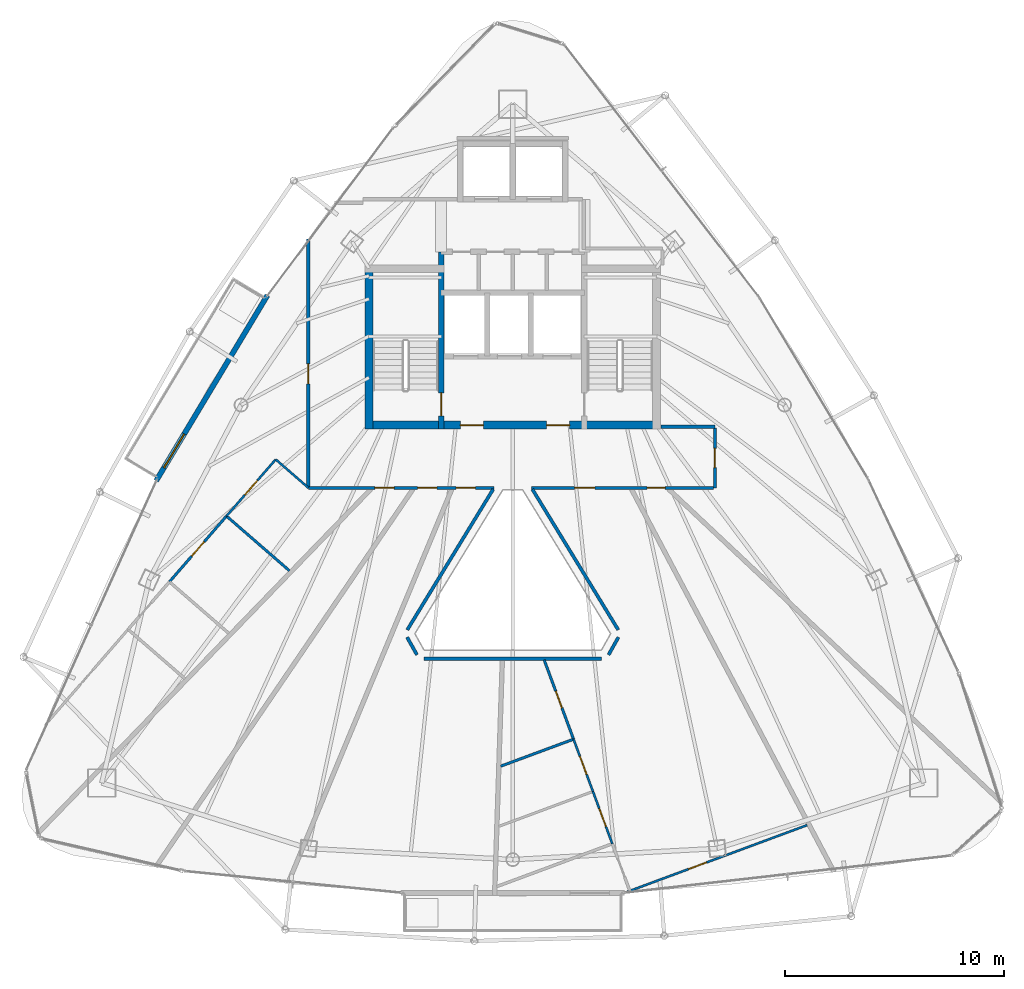
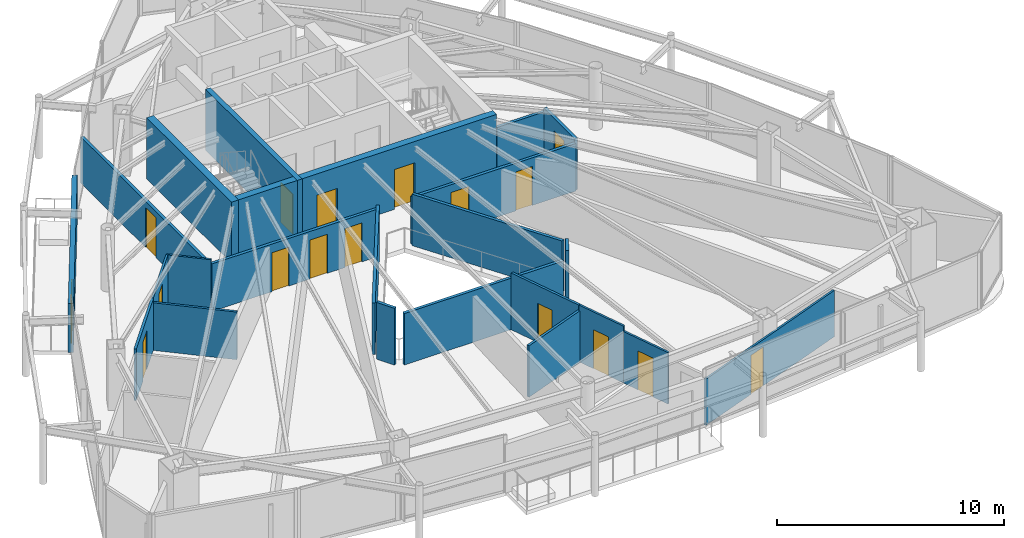
# One storey, part 26 of 29: 23 walls, 17 doors, 17 openings.
"""IFC4 building model written with IfcOpenShell, lengths in metres."""

from ifc_helpers import new_model, si_unit, direction, frame, frame_2d, origin, place, context, subcontext, project, spatial, rectangle, extrude, material, layer, layer_set, type_object, element, fill, save


model = new_model("IFC4")

# Units and contexts
model_context = context("Model", 3, precision=1e-05, world=origin(), true_north=direction((0.0, 1.0)))
body_context = subcontext(model_context, "Body", "Model", "MODEL_VIEW")
ifc_project = project(units=[si_unit("LENGTHUNIT", "METRE"), si_unit("AREAUNIT", "SQUARE_METRE"), si_unit("VOLUMEUNIT", "CUBIC_METRE"), si_unit("PLANEANGLEUNIT", "RADIAN"), si_unit("MASSUNIT", "GRAM", prefix="KILO")], contexts=[model_context])

# Site, building, storey
site_placement = place(None, origin())
site = spatial("IfcSite", under=ifc_project, at=site_placement, CompositionType="ELEMENT")
building_placement = place(site_placement, origin())
building = spatial("IfcBuilding", under=site, at=building_placement, Name="Orvanel Arch Residences", CompositionType="ELEMENT")
storey_placement = place(building_placement, frame((0.0, 0.0, 243.64990234375)))
storey = spatial("IfcBuildingStorey", under=building, at=storey_placement, Name="L69", CompositionType="ELEMENT", Elevation=243.64990234375)

# Wall, opening, door
ifc_material_1 = material(Name="Precast concrete N50 (50 MPa)", Category="concrete")
ifc_layer_1 = layer(ifc_material_1, 0.239990234375)
ifc_layer_set_1 = layer_set([ifc_layer_1], Name="Precast concrete N50 (50 MPa)")
wall_type_1 = type_object("IfcWallType", Name="EW-BAL-240", PredefinedType="SOLIDWALL", material=ifc_layer_set_1)
wall_1_placement = place(storey_placement, frame((21.77490234375, 32.659912109375, 0.0), z_axis=(0.0, 0.0, 1.0), x_axis=(-0.514372387577, -0.857566934354, 0.0)))
wall_1 = element("IfcWall", 1, at=wall_1_placement, inside=storey, type_object=wall_type_1, Name="L69 Balcony Threshold Wall Face 1", PredefinedType="SOLIDWALL", context=body_context, shape_type="SweptSolid", body=[
    extrude(rectangle(XDim=9.895263671875, YDim=0.239990234375, at=frame_2d((4.94775390625, 0.0))), origin(), (0.0, 0.0, 1.0), 2.6240234375),
])
opening_1_placement = place(wall_1_placement, frame((7.39794921875, 0.0, 0.0)))
opening_1 = element("IfcOpeningElement", 2, at=opening_1_placement, cuts=wall_1, Name="Opening DB-180", PredefinedType="OPENING", context=body_context, shape_type="SweptSolid", body=[
    extrude(rectangle(XDim=1.800048828125, YDim=2.199951171875, at=frame_2d((0.89990234375, 1.10009765625))), frame((0.0, 0.1298828125, 0.0), z_axis=(0.0, -1.0, 0.0), x_axis=(1.0, 0.0, 0.0)), (0.0, 0.0, 1.0), 0.260009765625),
])
ifc_material_2 = material(Name="Bronze-anodised aluminium AA6063-T6", Category="aluminium")
door_type_1 = type_object("IfcDoorType", Name="DR-BAL-1800", OperationType="NOTDEFINED", PredefinedType="DOOR", material=ifc_material_2)
door_1_placement = place(opening_1_placement, origin())
door_1 = element("IfcDoor", 3, at=door_1_placement, inside=storey, type_object=door_type_1, Name="DR-L69-BAL-F1 L69 Planted Balcony Access Door Face 1", OperationType="SINGLE_SWING_LEFT", OverallHeight=2.199951171875, OverallWidth=1.800048828125, PredefinedType="DOOR", context=body_context, shape_type="SweptSolid", body=[
    extrude(rectangle(XDim=1.800048828125, YDim=2.199951171875, at=frame_2d((0.89990234375, 1.10009765625))), frame((0.0, 0.02490234375, 0.0), z_axis=(0.0, -1.0, 0.0), x_axis=(1.0, 0.0, 0.0)), (0.0, 0.0, 1.0), 0.050048828125),
])
fill(opening_1, door_1)

ifc_material_3 = material(Name="Concrete N50 (50 MPa)", Category="concrete")
ifc_layer_2 = layer(ifc_material_3, 0.25)
ifc_layer_set_2 = layer_set([ifc_layer_2], Name="Concrete N50 (50 MPa)")
wall_type_2 = type_object("IfcWallType", Name="SW-CORE-250", PredefinedType="SHEAR", material=ifc_layer_set_2)
wall_2_placement = place(storey_placement, frame((29.72509765625, 26.550048828125, 0.0), z_axis=(0.0, 0.0, 1.0), x_axis=(0.0, 1.0, 0.0)))
wall_2 = element("IfcWall", 4, at=wall_2_placement, inside=storey, type_object=wall_type_2, Name="L69 West Inner Core Spine Shear Wall", PredefinedType="SHEAR", context=body_context, shape_type="SweptSolid", body=[
    extrude(rectangle(XDim=8.099853515625, YDim=0.25, at=frame_2d((4.0498046875, 0.0))), origin(), (0.0, 0.0, 1.0), 3.300048828125),
])
opening_2_placement = place(wall_2_placement, frame((0.60009765625, 0.0, 0.0)))
opening_2 = element("IfcOpeningElement", 5, at=opening_2_placement, cuts=wall_2, Name="Opening DF-120", PredefinedType="OPENING", context=body_context, shape_type="SweptSolid", body=[
    extrude(rectangle(XDim=1.050048828125, YDim=2.14990234375, at=frame_2d((0.52490234375, 1.074951171875))), frame((0.0, 0.135009765625, 0.0), z_axis=(0.0, -1.0, 0.0), x_axis=(1.0, 0.0, 0.0)), (0.0, 0.0, 1.0), 0.27001953125),
])
ifc_material_4 = material(Name="Galvanised steel fire-resisting door assembly", Category="steel")
door_type_2 = type_object("IfcDoorType", Name="DR-FD120-1050", OperationType="NOTDEFINED", PredefinedType="DOOR", material=ifc_material_4)
door_2_placement = place(opening_2_placement, origin())
door_2 = element("IfcDoor", 6, at=door_2_placement, inside=storey, type_object=door_type_2, Name="DR-L69-ST1 L69 Stair 1 Fire Door", OperationType="SINGLE_SWING_LEFT", OverallHeight=2.14990234375, OverallWidth=1.050048828125, PredefinedType="DOOR", context=body_context, shape_type="SweptSolid", body=[
    extrude(rectangle(XDim=1.050048828125, YDim=2.14990234375, at=frame_2d((0.52490234375, 1.074951171875))), frame((0.0, 0.02490234375, 0.0), z_axis=(0.0, -1.0, 0.0), x_axis=(1.0, 0.0, 0.0)), (0.0, 0.0, 1.0), 0.050048828125),
])
fill(opening_2, door_2)

# Wall, openings, doors
ifc_layer_3 = layer(ifc_material_3, 0.35009765625)
ifc_layer_set_3 = layer_set([ifc_layer_3], Name="Concrete N50 (50 MPa)")
wall_type_3 = type_object("IfcWallType", Name="SW-CORE-350", PredefinedType="SHEAR", material=ifc_layer_set_3)
wall_3_placement = place(storey_placement, frame((26.25, 26.72509765625, 0.0), z_axis=(0.0, 0.0, 1.0), x_axis=(1.0, 0.0, 0.0)))
wall_3 = element("IfcWall", 7, at=wall_3_placement, inside=storey, type_object=wall_type_3, Name="L69 South Core Shear Wall", PredefinedType="SHEAR", context=body_context, shape_type="SweptSolid", body=[
    extrude(rectangle(XDim=13.5, YDim=0.35009765625, at=frame_2d((6.75, 0.0))), origin(), (0.0, 0.0, 1.0), 3.300048828125),
])
opening_3_placement = place(wall_3_placement, frame((4.35009765625, 0.0, 0.0)))
opening_3 = element("IfcOpeningElement", 8, at=opening_3_placement, cuts=wall_3, Name="Opening DF-060", PredefinedType="OPENING", context=body_context, shape_type="SweptSolid", body=[
    extrude(rectangle(XDim=1.050048828125, YDim=2.14990234375, at=frame_2d((0.52490234375, 1.074951171875))), frame((0.0, 0.18505859375, 0.0), z_axis=(0.0, -1.0, 0.0), x_axis=(1.0, 0.0, 0.0)), (0.0, 0.0, 1.0), 0.3701171875),
])
opening_4_placement = place(wall_3_placement, frame((8.300048828125, 0.0, 0.0)))
opening_4 = element("IfcOpeningElement", 9, at=opening_4_placement, cuts=wall_3, Name="Opening DF-060", PredefinedType="OPENING", context=body_context, shape_type="SweptSolid", body=[
    extrude(rectangle(XDim=1.050048828125, YDim=2.14990234375, at=frame_2d((0.52490234375, 1.074951171875))), frame((0.0, 0.18505859375, 0.0), z_axis=(0.0, -1.0, 0.0), x_axis=(1.0, 0.0, 0.0)), (0.0, 0.0, 1.0), 0.3701171875),
])
door_type_3 = type_object("IfcDoorType", Name="DR-FD60-1050", OperationType="NOTDEFINED", PredefinedType="DOOR", material=ifc_material_4)
door_3_placement = place(opening_3_placement, origin())
door_3 = element("IfcDoor", 10, at=door_3_placement, inside=storey, type_object=door_type_3, Name="DR-L69-FFL-W L69 West Smoke Lobby Door", OperationType="SINGLE_SWING_LEFT", OverallHeight=2.14990234375, OverallWidth=1.050048828125, PredefinedType="DOOR", context=body_context, shape_type="SweptSolid", body=[
    extrude(rectangle(XDim=1.050048828125, YDim=2.14990234375, at=frame_2d((0.52490234375, 1.074951171875))), frame((0.0, 0.02490234375, 0.0), z_axis=(0.0, -1.0, 0.0), x_axis=(1.0, 0.0, 0.0)), (0.0, 0.0, 1.0), 0.050048828125),
])
fill(opening_3, door_3)
door_4_placement = place(opening_4_placement, origin())
door_4 = element("IfcDoor", 11, at=door_4_placement, inside=storey, type_object=door_type_3, Name="DR-L69-FFL-E L69 East Smoke Lobby Door", OperationType="SINGLE_SWING_RIGHT", OverallHeight=2.14990234375, OverallWidth=1.050048828125, PredefinedType="DOOR", context=body_context, shape_type="SweptSolid", body=[
    extrude(rectangle(XDim=1.050048828125, YDim=2.14990234375, at=frame_2d((0.52490234375, 1.074951171875))), frame((0.0, 0.02490234375, 0.0), z_axis=(0.0, -1.0, 0.0), x_axis=(1.0, 0.0, 0.0)), (0.0, 0.0, 1.0), 0.050048828125),
])
fill(opening_4, door_4)

# Wall
wall_4_placement = place(storey_placement, frame((26.425048828125, 26.550048828125, 0.0), z_axis=(0.0, 0.0, 1.0), x_axis=(0.0, 1.0, 0.0)))
element("IfcWall", 12, at=wall_4_placement, inside=storey, type_object=wall_type_3, Name="L69 West Stair Shear Wall", PredefinedType="SHEAR", context=body_context, shape_type="SweptSolid", body=[
    extrude(rectangle(XDim=7.5, YDim=0.35009765625, at=frame_2d((3.75, 0.0))), origin(), (0.0, 0.0, 1.0), 3.300048828125),
])

# Wall, openings, doors
ifc_material_5 = material(Name="Fire-rated plasterboard lined steel stud partition", Category="steel")
ifc_layer_4 = layer(ifc_material_5, 0.14990234375)
ifc_layer_set_4 = layer_set([ifc_layer_4], Name="Fire-rated plasterboard lined steel stud partition")
wall_type_4 = type_object("IfcWallType", Name="W-COR-150", PredefinedType="PARTITIONING", material=ifc_layer_set_4)
wall_5_placement = place(storey_placement, frame((32.14111328125, 23.85009765625, 0.0), z_axis=(0.0, 0.0, 1.0), x_axis=(-1.0, 0.0, 0.0)))
wall_5 = element("IfcWall", 13, at=wall_5_placement, inside=storey, type_object=wall_type_4, Name="L69 Corridor Fire-Rated Partition", PredefinedType="PARTITIONING", context=body_context, shape_type="SweptSolid", body=[
    extrude(rectangle(XDim=8.4912109375, YDim=0.14990234375, at=frame_2d((4.24560546875, 0.0))), origin(), (0.0, 0.0, 1.0), 2.565185546875),
])
opening_5_placement = place(wall_5_placement, frame((0.847900390625, 0.0, 0.0)))
opening_5 = element("IfcOpeningElement", 14, at=opening_5_placement, cuts=wall_5, Name="Opening DI-088", PredefinedType="OPENING", context=body_context, shape_type="SweptSolid", body=[
    extrude(rectangle(XDim=0.8798828125, YDim=2.10009765625, at=frame_2d((0.43994140625, 1.050048828125))), frame((0.0, 0.0849609375, 0.0), z_axis=(0.0, -1.0, 0.0), x_axis=(1.0, 0.0, 0.0)), (0.0, 0.0, 1.0), 0.169921875),
])
opening_6_placement = place(wall_5_placement, frame((2.615966796875, 0.0, 0.0)))
opening_6 = element("IfcOpeningElement", 15, at=opening_6_placement, cuts=wall_5, Name="Opening DI-088", PredefinedType="OPENING", context=body_context, shape_type="SweptSolid", body=[
    extrude(rectangle(XDim=0.8798828125, YDim=2.10009765625, at=frame_2d((0.43994140625, 1.050048828125))), frame((0.0, 0.0849609375, 0.0), z_axis=(0.0, -1.0, 0.0), x_axis=(1.0, 0.0, 0.0)), (0.0, 0.0, 1.0), 0.169921875),
])
opening_7_placement = place(wall_5_placement, frame((4.56689453125, 0.0, 0.0)))
opening_7 = element("IfcOpeningElement", 16, at=opening_7_placement, cuts=wall_5, Name="Opening DI-088", PredefinedType="OPENING", context=body_context, shape_type="SweptSolid", body=[
    extrude(rectangle(XDim=0.8798828125, YDim=2.10009765625, at=frame_2d((0.43994140625, 1.050048828125))), frame((0.0, 0.0849609375, 0.0), z_axis=(0.0, -1.0, 0.0), x_axis=(1.0, 0.0, 0.0)), (0.0, 0.0, 1.0), 0.169921875),
])
ifc_material_6 = material(Name="Solid-core European oak veneer fire door leaf", Category="wood")
door_type_4 = type_object("IfcDoorType", Name="DR-INT-880", OperationType="NOTDEFINED", PredefinedType="DOOR", material=ifc_material_6)
door_5_placement = place(opening_5_placement, origin())
door_5 = element("IfcDoor", 17, at=door_5_placement, inside=storey, type_object=door_type_4, Name="DR-L69-SHRD-FB5 L69 Co-Working Study Office E Door", OperationType="SINGLE_SWING_LEFT", OverallHeight=2.10009765625, OverallWidth=0.8798828125, PredefinedType="DOOR", context=body_context, shape_type="SweptSolid", body=[
    extrude(rectangle(XDim=0.8798828125, YDim=2.10009765625, at=frame_2d((0.43994140625, 1.050048828125))), frame((0.0, 0.02490234375, 0.0), z_axis=(0.0, -1.0, 0.0), x_axis=(1.0, 0.0, 0.0)), (0.0, 0.0, 1.0), 0.050048828125),
])
fill(opening_5, door_5)
door_6_placement = place(opening_6_placement, origin())
door_6 = element("IfcDoor", 18, at=door_6_placement, inside=storey, type_object=door_type_4, Name="DR-L69-SHRD-FB6 L69 Co-Working Study Office F Door", OperationType="SINGLE_SWING_LEFT", OverallHeight=2.10009765625, OverallWidth=0.8798828125, PredefinedType="DOOR", context=body_context, shape_type="SweptSolid", body=[
    extrude(rectangle(XDim=0.8798828125, YDim=2.10009765625, at=frame_2d((0.43994140625, 1.050048828125))), frame((0.0, 0.02490234375, 0.0), z_axis=(0.0, -1.0, 0.0), x_axis=(1.0, 0.0, 0.0)), (0.0, 0.0, 1.0), 0.050048828125),
])
fill(opening_6, door_6)
door_7_placement = place(opening_7_placement, origin())
door_7 = element("IfcDoor", 19, at=door_7_placement, inside=storey, type_object=door_type_4, Name="DR-L69-SHRD-FB7 L69 Co-Working Study Office G Door", OperationType="SINGLE_SWING_LEFT", OverallHeight=2.10009765625, OverallWidth=0.8798828125, PredefinedType="DOOR", context=body_context, shape_type="SweptSolid", body=[
    extrude(rectangle(XDim=0.8798828125, YDim=2.10009765625, at=frame_2d((0.43994140625, 1.050048828125))), frame((0.0, 0.02490234375, 0.0), z_axis=(0.0, -1.0, 0.0), x_axis=(1.0, 0.0, 0.0)), (0.0, 0.0, 1.0), 0.050048828125),
])
fill(opening_7, door_7)

# Wall, opening, door
wall_6_placement = place(storey_placement, frame((23.64990234375, 23.909912109375, 0.0), z_axis=(0.0, 0.0, 1.0), x_axis=(0.0, 1.0, 0.0)))
wall_6 = element("IfcWall", 20, at=wall_6_placement, inside=storey, type_object=wall_type_4, Name="L69 Corridor Fire-Rated Partition", PredefinedType="PARTITIONING", context=body_context, shape_type="SweptSolid", body=[
    extrude(rectangle(XDim=11.337158203125, YDim=0.14990234375, at=frame_2d((5.66845703125, 0.0))), origin(), (0.0, 0.0, 1.0), 2.4921875),
])
opening_8_placement = place(wall_6_placement, frame((4.694091796875, 0.0, 0.0)))
opening_8 = element("IfcOpeningElement", 21, at=opening_8_placement, cuts=wall_6, Name="Opening DA-092", PredefinedType="OPENING", context=body_context, shape_type="SweptSolid", body=[
    extrude(rectangle(XDim=0.919921875, YDim=2.14990234375, at=frame_2d((0.4599609375, 1.074951171875))), frame((0.0, 0.0849609375, 0.0), z_axis=(0.0, -1.0, 0.0), x_axis=(1.0, 0.0, 0.0)), (0.0, 0.0, 1.0), 0.169921875),
])
door_type_5 = type_object("IfcDoorType", Name="DR-APT-920", OperationType="NOTDEFINED", PredefinedType="DOOR", material=ifc_material_6)
door_8_placement = place(opening_8_placement, origin())
door_8 = element("IfcDoor", 22, at=door_8_placement, inside=storey, type_object=door_type_5, Name="DR-L69-C-ENT L69 Studio C Entrance Door", OperationType="SINGLE_SWING_RIGHT", OverallHeight=2.14990234375, OverallWidth=0.919921875, PredefinedType="DOOR", context=body_context, shape_type="SweptSolid", body=[
    extrude(rectangle(XDim=0.919921875, YDim=2.14990234375, at=frame_2d((0.4599609375, 1.074951171875))), frame((0.0, 0.02490234375, 0.0), z_axis=(0.0, -1.0, 0.0), x_axis=(1.0, 0.0, 0.0)), (0.0, 0.0, 1.0), 0.050048828125),
])
fill(opening_8, door_8)

# Wall
wall_7_placement = place(storey_placement, frame((39.7900390625, 26.64990234375, 0.0), z_axis=(0.0, 0.0, 1.0), x_axis=(1.0, 0.0, 0.0)))
element("IfcWall", 23, at=wall_7_placement, inside=storey, type_object=wall_type_4, Name="L69 Corridor Fire-Rated Partition", PredefinedType="PARTITIONING", context=body_context, shape_type="SweptSolid", body=[
    extrude(rectangle(XDim=2.4599609375, YDim=0.14990234375, at=frame_2d((1.22998046875, 0.0))), origin(), (0.0, 0.0, 1.0), 2.565185546875),
])

# Wall, opening, door
wall_8_placement = place(storey_placement, frame((42.25, 26.590087890625, 0.0), z_axis=(0.0, 0.0, 1.0), x_axis=(0.0, -1.0, 0.0)))
wall_8 = element("IfcWall", 24, at=wall_8_placement, inside=storey, type_object=wall_type_4, Name="L69 Corridor Fire-Rated Partition", PredefinedType="PARTITIONING", context=body_context, shape_type="SweptSolid", body=[
    extrude(rectangle(XDim=2.739990234375, YDim=0.14990234375, at=frame_2d((1.3701171875, 0.0))), origin(), (0.0, 0.0, 1.0), 2.773193359375),
])
opening_9_placement = place(wall_8_placement, frame((0.929931640625, 0.0, 0.0)))
opening_9 = element("IfcOpeningElement", 25, at=opening_9_placement, cuts=wall_8, Name="Opening DI-088", PredefinedType="OPENING", context=body_context, shape_type="SweptSolid", body=[
    extrude(rectangle(XDim=0.8798828125, YDim=2.10009765625, at=frame_2d((0.43994140625, 1.050048828125))), frame((0.0, 0.0849609375, 0.0), z_axis=(0.0, -1.0, 0.0), x_axis=(1.0, 0.0, 0.0)), (0.0, 0.0, 1.0), 0.169921875),
])
door_9_placement = place(opening_9_placement, origin())
door_9 = element("IfcDoor", 26, at=door_9_placement, inside=storey, type_object=door_type_4, Name="DR-L69-SHRD-FB1 L69 Co-Working Study Office A Door", OperationType="SINGLE_SWING_LEFT", OverallHeight=2.10009765625, OverallWidth=0.8798828125, PredefinedType="DOOR", context=body_context, shape_type="SweptSolid", body=[
    extrude(rectangle(XDim=0.8798828125, YDim=2.10009765625, at=frame_2d((0.43994140625, 1.050048828125))), frame((0.0, 0.02490234375, 0.0), z_axis=(0.0, -1.0, 0.0), x_axis=(1.0, 0.0, 0.0)), (0.0, 0.0, 1.0), 0.050048828125),
])
fill(opening_9, door_9)

# Wall, openings, doors
wall_9_placement = place(storey_placement, frame((42.18994140625, 23.85009765625, 0.0), z_axis=(0.0, 0.0, 1.0), x_axis=(-1.0, 0.0, 0.0)))
wall_9 = element("IfcWall", 27, at=wall_9_placement, inside=storey, type_object=wall_type_4, Name="L69 Corridor Fire-Rated Partition", PredefinedType="PARTITIONING", context=body_context, shape_type="SweptSolid", body=[
    extrude(rectangle(XDim=8.3310546875, YDim=0.14990234375, at=frame_2d((4.16552734375, 0.0))), origin(), (0.0, 0.0, 1.0), 2.565185546875),
])
opening_10_placement = place(wall_9_placement, frame((5.43505859375, 0.0, 0.0)))
opening_10 = element("IfcOpeningElement", 28, at=opening_10_placement, cuts=wall_9, Name="Opening DA-092", PredefinedType="OPENING", context=body_context, shape_type="SweptSolid", body=[
    extrude(rectangle(XDim=0.919921875, YDim=2.14990234375, at=frame_2d((0.4599609375, 1.074951171875))), frame((0.0, 0.0849609375, 0.0), z_axis=(0.0, -1.0, 0.0), x_axis=(1.0, 0.0, 0.0)), (0.0, 0.0, 1.0), 0.169921875),
])
opening_11_placement = place(wall_9_placement, frame((2.218017578125, 0.0, 0.0)))
opening_11 = element("IfcOpeningElement", 29, at=opening_11_placement, cuts=wall_9, Name="Opening DW-082", PredefinedType="OPENING", context=body_context, shape_type="SweptSolid", body=[
    extrude(rectangle(XDim=0.820068359375, YDim=2.10009765625, at=frame_2d((0.41015625, 1.050048828125))), frame((0.0, 0.0849609375, 0.0), z_axis=(0.0, -1.0, 0.0), x_axis=(1.0, 0.0, 0.0)), (0.0, 0.0, 1.0), 0.169921875),
])
door_10_placement = place(opening_10_placement, origin())
door_10 = element("IfcDoor", 30, at=door_10_placement, inside=storey, type_object=door_type_5, Name="DR-L69-B-ENT L69 Studio B Entrance Door", OperationType="SINGLE_SWING_LEFT", OverallHeight=2.14990234375, OverallWidth=0.919921875, PredefinedType="DOOR", context=body_context, shape_type="SweptSolid", body=[
    extrude(rectangle(XDim=0.919921875, YDim=2.14990234375, at=frame_2d((0.4599609375, 1.074951171875))), frame((0.0, 0.02490234375, 0.0), z_axis=(0.0, -1.0, 0.0), x_axis=(1.0, 0.0, 0.0)), (0.0, 0.0, 1.0), 0.050048828125),
])
fill(opening_10, door_10)
door_type_6 = type_object("IfcDoorType", Name="DR-WET-820", OperationType="NOTDEFINED", PredefinedType="DOOR", material=ifc_material_6)
door_11_placement = place(opening_11_placement, origin())
door_11 = element("IfcDoor", 31, at=door_11_placement, inside=storey, type_object=door_type_6, Name="DR-L69-SHRD-FB4 L69 Co-Working Study Office D Door", OperationType="SINGLE_SWING_LEFT", OverallHeight=2.10009765625, OverallWidth=0.820068359375, PredefinedType="DOOR", context=body_context, shape_type="SweptSolid", body=[
    extrude(rectangle(XDim=0.820068359375, YDim=2.10009765625, at=frame_2d((0.41015625, 1.050048828125))), frame((0.0, 0.02490234375, 0.0), z_axis=(0.0, -1.0, 0.0), x_axis=(1.0, 0.0, 0.0)), (0.0, 0.0, 1.0), 0.050048828125),
])
fill(opening_11, door_11)

# Walls
wall_10_placement = place(storey_placement, frame((33.89501953125, 23.7900390625, 0.0), z_axis=(0.0, 0.0, 1.0), x_axis=(0.521329541742, -0.85335544113, 0.0)))
element("IfcWall", 32, at=wall_10_placement, inside=storey, type_object=wall_type_4, Name="L69 Atrium Overlook Glazed Partition", PredefinedType="PARTITIONING", context=body_context, shape_type="SweptSolid", body=[
    extrude(rectangle(XDim=7.5419921875, YDim=0.14990234375, at=frame_2d((3.77099609375, 0.0))), origin(), (0.0, 0.0, 1.0), 2.773193359375),
])
wall_11_placement = place(storey_placement, frame((37.833984375, 17.01806640625, 0.0), z_axis=(0.0, 0.0, 1.0), x_axis=(-0.489334167997, -0.872096366252, 0.0)))
element("IfcWall", 33, at=wall_11_placement, inside=storey, type_object=wall_type_4, Name="L69 Atrium Overlook Glazed Partition", PredefinedType="PARTITIONING", context=body_context, shape_type="SweptSolid", body=[
    extrude(rectangle(XDim=0.925537109375, YDim=0.14990234375, at=frame_2d((0.462890625, 0.0))), origin(), (0.0, 0.0, 1.0), 3.06005859375),
])
wall_12_placement = place(storey_placement, frame((37.052001953125, 16.0390625, 0.0), z_axis=(0.0, 0.0, 1.0), x_axis=(-1.0, 0.0, 0.0)))
element("IfcWall", 34, at=wall_12_placement, inside=storey, type_object=wall_type_4, Name="L69 Atrium Overlook Glazed Partition", PredefinedType="PARTITIONING", context=body_context, shape_type="SweptSolid", body=[
    extrude(rectangle(XDim=8.10400390625, YDim=0.14990234375, at=frame_2d((4.052001953125, 0.0))), origin(), (0.0, 0.0, 1.0), 2.773193359375),
])
wall_13_placement = place(storey_placement, frame((28.618896484375, 16.2109375, 0.0), z_axis=(0.0, 0.0, 1.0), x_axis=(-0.489334167997, 0.872096366252, 0.0)))
element("IfcWall", 35, at=wall_13_placement, inside=storey, type_object=wall_type_4, Name="L69 Atrium Overlook Glazed Partition", PredefinedType="PARTITIONING", context=body_context, shape_type="SweptSolid", body=[
    extrude(rectangle(XDim=0.925537109375, YDim=0.14990234375, at=frame_2d((0.462890625, 0.0))), origin(), (0.0, 0.0, 1.0), 3.06005859375),
])
wall_14_placement = place(storey_placement, frame((28.173095703125, 17.35400390625, 0.0), z_axis=(0.0, 0.0, 1.0), x_axis=(0.521329541742, 0.85335544113, 0.0)))
element("IfcWall", 36, at=wall_14_placement, inside=storey, type_object=wall_type_4, Name="L69 Atrium Overlook Glazed Partition", PredefinedType="PARTITIONING", context=body_context, shape_type="SweptSolid", body=[
    extrude(rectangle(XDim=7.5419921875, YDim=0.14990234375, at=frame_2d((3.77099609375, 0.0))), origin(), (0.0, 0.0, 1.0), 2.773193359375),
])

# Wall, opening, door
ifc_material_7 = material(Name="Acoustic plasterboard lined twin-stud partition", Category="gypsum")
ifc_layer_5 = layer(ifc_material_7, 0.10009765625)
ifc_layer_set_5 = layer_set([ifc_layer_5], Name="Acoustic plasterboard lined twin-stud partition")
wall_type_5 = type_object("IfcWallType", Name="W-INT-100", PredefinedType="PARTITIONING", material=ifc_layer_set_5)
wall_15_placement = place(storey_placement, frame((37.553955078125, 7.571044921875, 0.0), z_axis=(0.0, 0.0, 1.0), x_axis=(-0.347479633163, 0.93768753033, 0.0)))
wall_15 = element("IfcWall", 37, at=wall_15_placement, inside=storey, type_object=wall_type_5, Name="L69 Studio B Internal Partition", PredefinedType="PARTITIONING", context=body_context, shape_type="SweptSolid", body=[
    extrude(rectangle(XDim=2.5498046875, YDim=0.10009765625, at=frame_2d((1.27490234375, 0.0))), origin(), (0.0, 0.0, 1.0), 2.773193359375),
])
opening_12_placement = place(wall_15_placement, frame((0.8349609375, 0.0, 0.0)))
opening_12 = element("IfcOpeningElement", 38, at=opening_12_placement, cuts=wall_15, Name="Opening DI-088", PredefinedType="OPENING", context=body_context, shape_type="SweptSolid", body=[
    extrude(rectangle(XDim=0.8798828125, YDim=2.10009765625, at=frame_2d((0.43994140625, 1.050048828125))), frame((0.0, 0.06005859375, 0.0), z_axis=(0.0, -1.0, 0.0), x_axis=(1.0, 0.0, 0.0)), (0.0, 0.0, 1.0), 0.1201171875),
])
door_12_placement = place(opening_12_placement, origin())
door_12 = element("IfcDoor", 39, at=door_12_placement, inside=storey, type_object=door_type_4, Name="DR-L69-B-AME1 L69 Studio B Resident Reading Library 1 Door", OperationType="SINGLE_SWING_LEFT", OverallHeight=2.10009765625, OverallWidth=0.8798828125, PredefinedType="DOOR", context=body_context, shape_type="SweptSolid", body=[
    extrude(rectangle(XDim=0.8798828125, YDim=2.10009765625, at=frame_2d((0.43994140625, 1.050048828125))), frame((0.0, 0.02490234375, 0.0), z_axis=(0.0, -1.0, 0.0), x_axis=(1.0, 0.0, 0.0)), (0.0, 0.0, 1.0), 0.050048828125),
])
fill(opening_12, door_12)

wall_16_placement = place(storey_placement, frame((46.468994140625, 8.423095703125, 0.0), z_axis=(0.0, 0.0, 1.0), x_axis=(-0.937601832004, -0.34771080602, 0.0)))
wall_16 = element("IfcWall", 40, at=wall_16_placement, inside=storey, type_object=wall_type_5, Name="L69 Studio B Internal Partition", PredefinedType="PARTITIONING", context=body_context, shape_type="SweptSolid", body=[
    extrude(rectangle(XDim=8.904541015625, YDim=0.10009765625, at=frame_2d((4.4521484375, 0.0))), origin(), (0.0, 0.0, 1.0), 2.4921875),
])
opening_13_placement = place(wall_16_placement, frame((4.909912109375, 0.0, 0.0)))
opening_13 = element("IfcOpeningElement", 41, at=opening_13_placement, cuts=wall_16, Name="Opening DI-088", PredefinedType="OPENING", context=body_context, shape_type="SweptSolid", body=[
    extrude(rectangle(XDim=0.8798828125, YDim=2.10009765625, at=frame_2d((0.43994140625, 1.050048828125))), frame((0.0, 0.06005859375, 0.0), z_axis=(0.0, -1.0, 0.0), x_axis=(1.0, 0.0, 0.0)), (0.0, 0.0, 1.0), 0.1201171875),
])
door_13_placement = place(opening_13_placement, origin())
door_13 = element("IfcDoor", 42, at=door_13_placement, inside=storey, type_object=door_type_4, Name="DR-L69-B-AME2 L69 Studio B Resident Reading Library 2 Door", OperationType="SINGLE_SWING_LEFT", OverallHeight=2.10009765625, OverallWidth=0.8798828125, PredefinedType="DOOR", context=body_context, shape_type="SweptSolid", body=[
    extrude(rectangle(XDim=0.8798828125, YDim=2.10009765625, at=frame_2d((0.43994140625, 1.050048828125))), frame((0.0, 0.02490234375, 0.0), z_axis=(0.0, -1.0, 0.0), x_axis=(1.0, 0.0, 0.0)), (0.0, 0.0, 1.0), 0.050048828125),
])
fill(opening_13, door_13)

wall_17_placement = place(storey_placement, frame((36.66796875, 9.9619140625, 0.0), z_axis=(0.0, 0.0, 1.0), x_axis=(-0.347785106968, 0.937574274056, 0.0)))
wall_17 = element("IfcWall", 43, at=wall_17_placement, inside=storey, type_object=wall_type_5, Name="L69 Studio B Internal Partition", PredefinedType="PARTITIONING", context=body_context, shape_type="SweptSolid", body=[
    extrude(rectangle(XDim=2.55029296875, YDim=0.10009765625, at=frame_2d((1.275146484375, 0.0))), origin(), (0.0, 0.0, 1.0), 3.06005859375),
])
opening_14_placement = place(wall_17_placement, frame((0.8349609375, 0.0, 0.0)))
opening_14 = element("IfcOpeningElement", 44, at=opening_14_placement, cuts=wall_17, Name="Opening DI-088", PredefinedType="OPENING", context=body_context, shape_type="SweptSolid", body=[
    extrude(rectangle(XDim=0.8798828125, YDim=2.10009765625, at=frame_2d((0.43994140625, 1.050048828125))), frame((0.0, 0.06005859375, 0.0), z_axis=(0.0, -1.0, 0.0), x_axis=(1.0, 0.0, 0.0)), (0.0, 0.0, 1.0), 0.1201171875),
])
door_14_placement = place(opening_14_placement, origin())
door_14 = element("IfcDoor", 45, at=door_14_placement, inside=storey, type_object=door_type_4, Name="DR-L69-B-DIN3 L69 Studio B Dining Room 3 Door", OperationType="SINGLE_SWING_LEFT", OverallHeight=2.10009765625, OverallWidth=0.8798828125, PredefinedType="DOOR", context=body_context, shape_type="SweptSolid", body=[
    extrude(rectangle(XDim=0.8798828125, YDim=2.10009765625, at=frame_2d((0.43994140625, 1.050048828125))), frame((0.0, 0.02490234375, 0.0), z_axis=(0.0, -1.0, 0.0), x_axis=(1.0, 0.0, 0.0)), (0.0, 0.0, 1.0), 0.050048828125),
])
fill(opening_14, door_14)

# Wall
wall_18_placement = place(storey_placement, frame((23.64990234375, 23.85498046875, 0.0), z_axis=(0.0, 0.0, 1.0), x_axis=(-0.755054003076, 0.655662605643, 0.0)))
element("IfcWall", 46, at=wall_18_placement, inside=storey, type_object=wall_type_5, Name="L69 Studio C Internal Partition", PredefinedType="PARTITIONING", context=body_context, shape_type="SweptSolid", body=[
    extrude(rectangle(XDim=1.979736328125, YDim=0.10009765625, at=frame_2d((0.98974609375, 0.0))), origin(), (0.0, 0.0, 1.0), 2.773193359375),
])

# Wall, opening, door
wall_19_placement = place(storey_placement, frame((22.155029296875, 25.153076171875, 0.0), z_axis=(0.0, 0.0, 1.0), x_axis=(-0.655685588572, -0.755034044888, 0.0)))
wall_19 = element("IfcWall", 47, at=wall_19_placement, inside=storey, type_object=wall_type_5, Name="L69 Studio C Internal Partition", PredefinedType="PARTITIONING", context=body_context, shape_type="SweptSolid", body=[
    extrude(rectangle(XDim=3.43310546875, YDim=0.10009765625, at=frame_2d((1.716552734375, 0.0))), origin(), (0.0, 0.0, 1.0), 2.773193359375),
])
opening_15_placement = place(wall_19_placement, frame((1.27587890625, 0.0, 0.0)))
opening_15 = element("IfcOpeningElement", 48, at=opening_15_placement, cuts=wall_19, Name="Opening DI-088", PredefinedType="OPENING", context=body_context, shape_type="SweptSolid", body=[
    extrude(rectangle(XDim=0.8798828125, YDim=2.10009765625, at=frame_2d((0.43994140625, 1.050048828125))), frame((0.0, 0.06005859375, 0.0), z_axis=(0.0, -1.0, 0.0), x_axis=(1.0, 0.0, 0.0)), (0.0, 0.0, 1.0), 0.1201171875),
])
door_15_placement = place(opening_15_placement, origin())
door_15 = element("IfcDoor", 49, at=door_15_placement, inside=storey, type_object=door_type_4, Name="DR-L69-C-DIN2 L69 Studio C Dining Room 2 Door", OperationType="SINGLE_SWING_LEFT", OverallHeight=2.10009765625, OverallWidth=0.8798828125, PredefinedType="DOOR", context=body_context, shape_type="SweptSolid", body=[
    extrude(rectangle(XDim=0.8798828125, YDim=2.10009765625, at=frame_2d((0.43994140625, 1.050048828125))), frame((0.0, 0.02490234375, 0.0), z_axis=(0.0, -1.0, 0.0), x_axis=(1.0, 0.0, 0.0)), (0.0, 0.0, 1.0), 0.050048828125),
])
fill(opening_15, door_15)

ifc_layer_6 = layer(ifc_material_7, 0.1201171875)
ifc_layer_set_6 = layer_set([ifc_layer_6], Name="Acoustic plasterboard lined twin-stud partition")
wall_type_6 = type_object("IfcWallType", Name="W-WET-120", PredefinedType="PARTITIONING", material=ifc_layer_set_6)
wall_20_placement = place(storey_placement, frame((35.781005859375, 12.35302734375, 0.0), z_axis=(0.0, 0.0, 1.0), x_axis=(-0.347550810428, 0.937661151041, 0.0)))
wall_20 = element("IfcWall", 50, at=wall_20_placement, inside=storey, type_object=wall_type_6, Name="L69 Studio B Bathroom Partition", PredefinedType="PARTITIONING", context=body_context, shape_type="SweptSolid", body=[
    extrude(rectangle(XDim=3.866943359375, YDim=0.1201171875, at=frame_2d((1.93359375, 0.0))), origin(), (0.0, 0.0, 1.0), 3.06005859375),
])
opening_16_placement = place(wall_20_placement, frame((1.52392578125, 0.0, 0.0)))
opening_16 = element("IfcOpeningElement", 51, at=opening_16_placement, cuts=wall_20, Name="Opening DW-082", PredefinedType="OPENING", context=body_context, shape_type="SweptSolid", body=[
    extrude(rectangle(XDim=0.820068359375, YDim=2.10009765625, at=frame_2d((0.41015625, 1.050048828125))), frame((0.0, 0.070068359375, 0.0), z_axis=(0.0, -1.0, 0.0), x_axis=(1.0, 0.0, 0.0)), (0.0, 0.0, 1.0), 0.14013671875),
])
door_16_placement = place(opening_16_placement, origin())
door_16 = element("IfcDoor", 52, at=door_16_placement, inside=storey, type_object=door_type_6, Name="DR-L69-B-BATH L69 Studio B Bathroom Door", OperationType="SINGLE_SWING_RIGHT", OverallHeight=2.10009765625, OverallWidth=0.820068359375, PredefinedType="DOOR", context=body_context, shape_type="SweptSolid", body=[
    extrude(rectangle(XDim=0.820068359375, YDim=2.10009765625, at=frame_2d((0.41015625, 1.050048828125))), frame((0.0, 0.02490234375, 0.0), z_axis=(0.0, -1.0, 0.0), x_axis=(1.0, 0.0, 0.0)), (0.0, 0.0, 1.0), 0.050048828125),
])
fill(opening_16, door_16)

# Wall
wall_21_placement = place(storey_placement, frame((35.781005859375, 12.35302734375, 0.0), z_axis=(0.0, 0.0, 1.0), x_axis=(-0.937688263894, -0.347477653607, 0.0)))
element("IfcWall", 53, at=wall_21_placement, inside=storey, type_object=wall_type_6, Name="L69 Studio B Bathroom Partition", PredefinedType="PARTITIONING", context=body_context, shape_type="SweptSolid", body=[
    extrude(rectangle(XDim=3.554443359375, YDim=0.1201171875, at=frame_2d((1.77734375, 0.0))), origin(), (0.0, 0.0, 1.0), 2.773193359375),
])

# Wall, opening, door
wall_22_placement = place(storey_placement, frame((19.904052734375, 22.56103515625, 0.0), z_axis=(0.0, 0.0, 1.0), x_axis=(-0.655518370372, -0.755179227803, 0.0)))
wall_22 = element("IfcWall", 54, at=wall_22_placement, inside=storey, type_object=wall_type_6, Name="L69 Studio C Internal Partition", PredefinedType="PARTITIONING", context=body_context, shape_type="SweptSolid", body=[
    extrude(rectangle(XDim=3.983154296875, YDim=0.1201171875, at=frame_2d((1.99169921875, 0.0))), origin(), (0.0, 0.0, 1.0), 2.773193359375),
])
opening_17_placement = place(wall_22_placement, frame((1.552001953125, 0.0, 0.0)))
opening_17 = element("IfcOpeningElement", 55, at=opening_17_placement, cuts=wall_22, Name="Opening DI-088", PredefinedType="OPENING", context=body_context, shape_type="SweptSolid", body=[
    extrude(rectangle(XDim=0.8798828125, YDim=2.10009765625, at=frame_2d((0.43994140625, 1.050048828125))), frame((0.0, 0.070068359375, 0.0), z_axis=(0.0, -1.0, 0.0), x_axis=(1.0, 0.0, 0.0)), (0.0, 0.0, 1.0), 0.14013671875),
])
door_17_placement = place(opening_17_placement, origin())
door_17 = element("IfcDoor", 56, at=door_17_placement, inside=storey, type_object=door_type_4, Name="DR-L69-C-KIT L69 Studio C Kitchenette Door", OperationType="SINGLE_SWING_LEFT", OverallHeight=2.10009765625, OverallWidth=0.8798828125, PredefinedType="DOOR", context=body_context, shape_type="SweptSolid", body=[
    extrude(rectangle(XDim=0.8798828125, YDim=2.10009765625, at=frame_2d((0.43994140625, 1.050048828125))), frame((0.0, 0.02490234375, 0.0), z_axis=(0.0, -1.0, 0.0), x_axis=(1.0, 0.0, 0.0)), (0.0, 0.0, 1.0), 0.050048828125),
])
fill(opening_17, door_17)

# Wall
wall_23_placement = place(storey_placement, frame((19.904052734375, 22.56103515625, 0.0), z_axis=(0.0, 0.0, 1.0), x_axis=(0.755063159293, -0.655652061293, 0.0)))
element("IfcWall", 57, at=wall_23_placement, inside=storey, type_object=wall_type_6, Name="L69 Studio C Internal Partition", PredefinedType="PARTITIONING", context=body_context, shape_type="SweptSolid", body=[
    extrude(rectangle(XDim=3.8115234375, YDim=0.1201171875, at=frame_2d((1.90576171875, 0.0))), origin(), (0.0, 0.0, 1.0), 2.565185546875),
])

save(model, "model.ifc")
